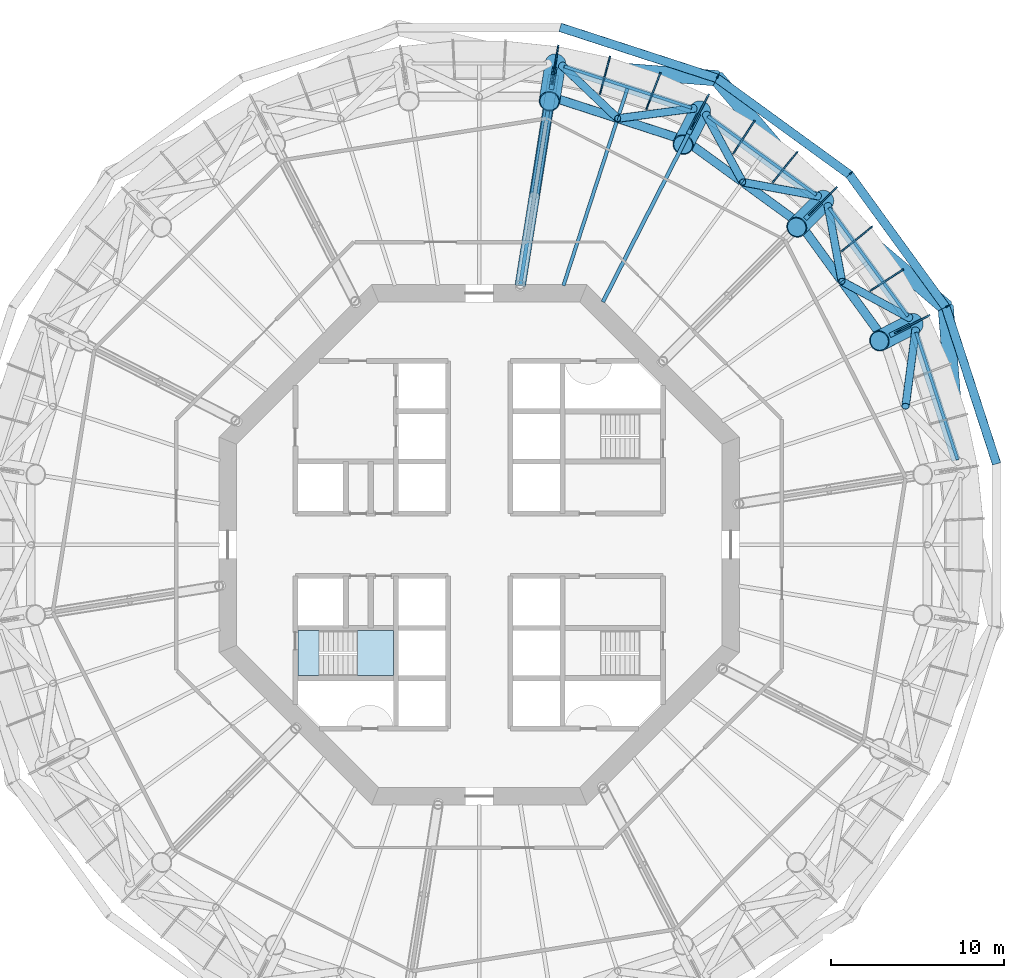
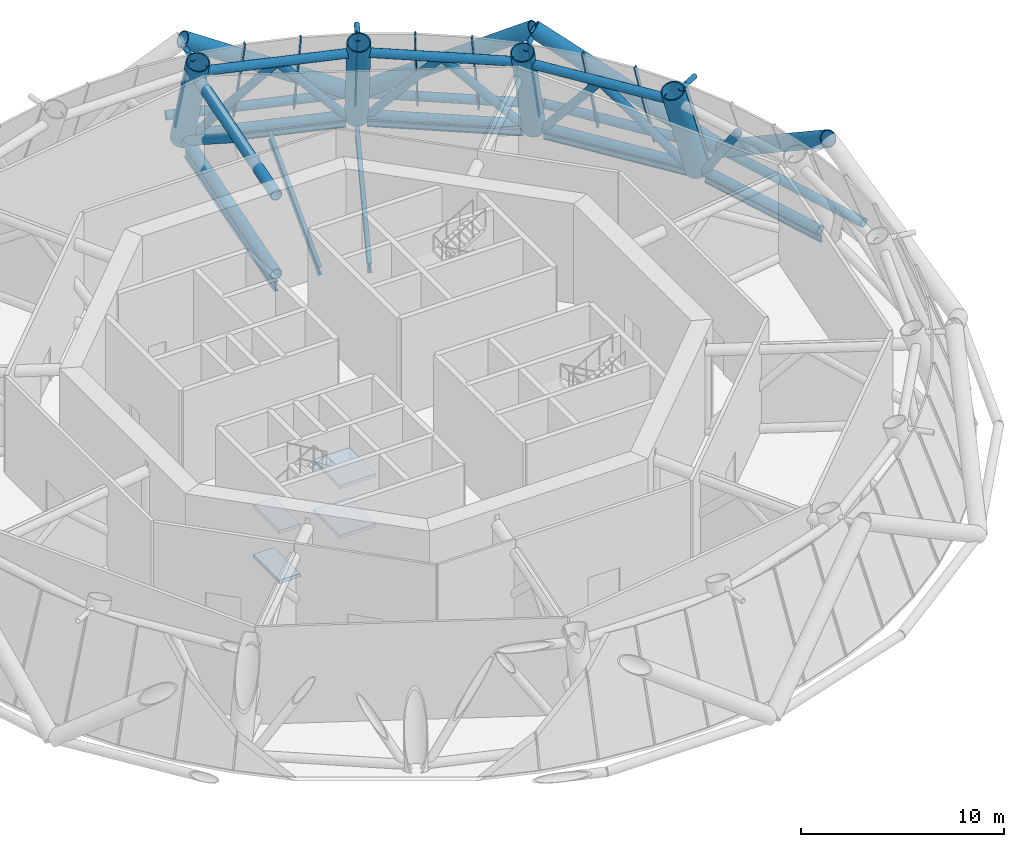
# One storey, part 6 of 15: 43 members, 7 beams, 4 slabs, 5 elements without a shape of their own.
"""IFC4 building model written with IfcOpenShell, lengths in metres."""

import ifcopenshell
import ifcopenshell.guid

model = None  # the IFC model being written
_history = None  # IfcOwnerHistory: only IFC2X3 demands one
_inside = {}  # id of a spatial element -> (the spatial element, [elements in it])
_under = {}  # id of a project, library or spatial element -> (it, [spatial elements below it])
_declared = {}  # id of a project -> (the project, [libraries it declares])
_typed = {}  # id of a type object -> (the type object, [elements of that type])
_made_of = {}  # id of a material, layer set ... -> (it, [elements and type objects made of it])


def new_model(schema):
    """Start an empty IFC model of exactly this schema.

    Asked for "IFC4X3", IfcOpenShell would pick the latest addendum, in which some entities
    have other attributes; the version numbers below select the first issue.
    IFC2X3 requires an IfcOwnerHistory on every rooted entity: one is made here for all.
    """
    global model, _history
    if schema == "IFC4X3":
        model = ifcopenshell.file(schema_version=(4, 3, 0, 0))
    else:
        model = ifcopenshell.file(schema=schema)
    _inside.clear()
    _under.clear()
    _declared.clear()
    _typed.clear()
    _made_of.clear()
    _history = None
    if model.schema == "IFC2X3":
        org = make("IfcOrganization", Name="unknown")
        user = make(
            "IfcPersonAndOrganization",
            ThePerson=make("IfcPerson", FamilyName="unknown"),
            TheOrganization=org,
        )
        app = make(
            "IfcApplication",
            ApplicationDeveloper=org,
            Version="unknown",
            ApplicationFullName="unknown",
            ApplicationIdentifier="unknown",
        )
        _history = make(
            "IfcOwnerHistory",
            OwningUser=user,
            OwningApplication=app,
            ChangeAction="ADDED",
            CreationDate=0,
        )
    return model


def make(cls, **values):
    """One entity of the class cls with the attributes given. An attribute that is None is left unset."""
    return model.create_entity(
        cls, **{name: value for name, value in values.items() if value is not None}
    )


def rooted(cls, **values):
    """An entity with a GlobalId (a new one), such as an element, a storey or a relation."""
    return make(cls, GlobalId=ifcopenshell.guid.new(), OwnerHistory=_history, **values)


def si_unit(unit_type, name, prefix=None):
    """IfcSIUnit, for example si_unit("LENGTHUNIT", "METRE", prefix="MILLI")."""
    return make("IfcSIUnit", UnitType=unit_type, Prefix=prefix, Name=name)


def assignment(units):
    """IfcUnitAssignment: the units of a project."""
    return None if units is None else make("IfcUnitAssignment", Units=units)


def point(xyz):
    """IfcCartesianPoint."""
    return None if xyz is None else make("IfcCartesianPoint", Coordinates=xyz)


def direction(xyz):
    """IfcDirection."""
    return None if xyz is None else make("IfcDirection", DirectionRatios=xyz)


def frame(location, z_axis=None, x_axis=None):
    """IfcAxis2Placement3D, a coordinate frame: its origin and axes. An axis left out is left unset."""
    return make(
        "IfcAxis2Placement3D",
        Location=point(location),
        Axis=direction(z_axis),
        RefDirection=direction(x_axis),
    )


def frame_2d(location, x_axis=None):
    """IfcAxis2Placement2D, a coordinate frame in the plane: its origin and x axis."""
    return make(
        "IfcAxis2Placement2D", Location=point(location), RefDirection=direction(x_axis)
    )


def origin():
    """The frame at (0, 0, 0) with its axes left unset."""
    return frame((0.0, 0.0, 0.0))


def origin_2d():
    """The frame at (0, 0) in the plane with its x axis left unset."""
    return frame_2d((0.0, 0.0))


def place(relative_to, where):
    """IfcLocalPlacement: puts the frame where relative to a parent placement (None: the world)."""
    return make(
        "IfcLocalPlacement", PlacementRelTo=relative_to, RelativePlacement=where
    )


def context(
    kind, dimensions, precision=None, world=None, true_north=None, identifier=None
):
    """IfcGeometricRepresentationContext, for example the 3D "Model" context."""
    return make(
        "IfcGeometricRepresentationContext",
        ContextIdentifier=identifier,
        ContextType=kind,
        CoordinateSpaceDimension=dimensions,
        Precision=precision,
        WorldCoordinateSystem=world,
        TrueNorth=true_north,
    )


def subcontext(parent, identifier, kind, view, scale=None):
    """IfcGeometricRepresentationSubContext, for example "Body" below "Model"."""
    return make(
        "IfcGeometricRepresentationSubContext",
        ContextIdentifier=identifier,
        ContextType=kind,
        ParentContext=parent,
        TargetScale=scale,
        TargetView=view,
    )


def project(units=None, contexts=None):
    """IfcProject with its units and contexts."""
    return rooted(
        "IfcProject",
        Name="project",
        RepresentationContexts=contexts,
        UnitsInContext=assignment(units),
    )


def spatial(cls, under=None, at=None, **own):
    """A site, building, storey or space (cls), placed at a placement, below another one or the project."""
    s = rooted(cls, ObjectPlacement=at, **own)
    if under is not None:
        _under.setdefault(under.id(), (under, []))[1].append(s)
    return s


def polyline(points):
    """IfcPolyline through the points."""
    return make("IfcPolyline", Points=[point(p) for p in points])


def profile(cls, at=None, kind="AREA", **sizes):
    """A parametric profile (cls). Its sizes go by their IFC names, for example OverallWidth=200.0."""
    return make(cls, ProfileType=kind, Position=at, **sizes)


def rectangle(**sizes):
    """IfcRectangleProfileDef."""
    return profile("IfcRectangleProfileDef", **sizes)


def circle(**sizes):
    """IfcCircleProfileDef."""
    return profile("IfcCircleProfileDef", **sizes)


def hollow_circle(**sizes):
    """IfcCircleHollowProfileDef."""
    return profile("IfcCircleHollowProfileDef", **sizes)


def i_section(**sizes):
    """IfcIShapeProfileDef."""
    return profile("IfcIShapeProfileDef", **sizes)


def outline(outer, holes=None, kind="AREA"):
    """IfcArbitraryClosedProfileDef: a profile drawn as a closed curve; with holes, ...WithVoids."""
    if holes is None:
        return make("IfcArbitraryClosedProfileDef", ProfileType=kind, OuterCurve=outer)
    return make(
        "IfcArbitraryProfileDefWithVoids",
        ProfileType=kind,
        OuterCurve=outer,
        InnerCurves=holes,
    )


def extrude(swept, where, along, depth):
    """IfcExtrudedAreaSolid: the profile swept, set in the frame where, extruded along a direction by depth."""
    return make(
        "IfcExtrudedAreaSolid",
        SweptArea=swept,
        Position=where,
        ExtrudedDirection=direction(along),
        Depth=depth,
    )


def shape(context_of_items, identifier, shape_type, items):
    """IfcShapeRepresentation: the items that make up one representation, for example the "Body"."""
    return make(
        "IfcShapeRepresentation",
        ContextOfItems=context_of_items,
        RepresentationIdentifier=identifier,
        RepresentationType=shape_type,
        Items=items,
    )


def material(Name=None, Category=None):
    """IfcMaterial."""
    return make("IfcMaterial", Name=Name, Category=Category)


def layer(
    of_material, thickness, ventilated=None, Name=None, Category=None, Priority=None
):
    """IfcMaterialLayer: one layer of a wall or slab, of a material (None: an air gap)."""
    return make(
        "IfcMaterialLayer",
        Material=of_material,
        LayerThickness=thickness,
        IsVentilated=ventilated,
        Name=Name,
        Category=Category,
        Priority=Priority,
    )


def layer_set(layers, Name=None):
    """IfcMaterialLayerSet."""
    return make("IfcMaterialLayerSet", MaterialLayers=layers, LayerSetName=Name)


def material_profile(
    of_material, cross_section, Name=None, Category=None, Priority=None
):
    """IfcMaterialProfile: a cross section and its material."""
    return make(
        "IfcMaterialProfile",
        Name=Name,
        Material=of_material,
        Profile=cross_section,
        Priority=Priority,
        Category=Category,
    )


def profile_set(profiles, Name=None, composite=None):
    """IfcMaterialProfileSet."""
    return make(
        "IfcMaterialProfileSet",
        Name=Name,
        MaterialProfiles=profiles,
        CompositeProfile=composite,
    )


def made_of(thing, what):
    """Note that an element or type object is made of a material, layer set ...; save() writes the relation."""
    if what is not None:
        _made_of.setdefault(what.id(), (what, []))[1].append(thing)
    return thing


def type_object(cls, material=None, **own):
    """A type object (cls), such as IfcWallType, which elements share."""
    return made_of(rooted(cls, **own), material)


def element(
    cls,
    number,
    at=None,
    inside=None,
    cuts=None,
    type_object=None,
    material=None,
    context=None,
    identifier="Body",
    shape_type=None,
    held_by="IfcProductDefinitionShape",
    body=None,
    shapes=None,
    **own,
):
    """One element of the class cls, such as IfcWall. Its Tag is "e" and its number.

    at: its placement. inside: the storey or other place that contains it. cuts: it is an
    opening in that element (IfcRelVoidsElement). A single representation is given by context,
    identifier, shape_type and body (its items); several are given by shapes. held_by: the class
    of the entity that holds the representations. save() writes the other relations.
    """
    e = rooted(cls, Tag="e%d" % number, ObjectPlacement=at, **own)
    if body is not None:
        shapes = [shape(context, identifier, shape_type, body)]
    if shapes is not None:
        e.Representation = make(held_by, Representations=shapes)
    if inside is not None:
        _inside.setdefault(inside.id(), (inside, []))[1].append(e)
    if cuts is not None:
        rooted(
            "IfcRelVoidsElement", RelatingBuildingElement=cuts, RelatedOpeningElement=e
        )
    if type_object is not None:
        _typed.setdefault(type_object.id(), (type_object, []))[1].append(e)
    return made_of(e, material)


def aggregate(whole, parts):
    """IfcRelAggregates: a whole, such as a stair, and the parts it consists of."""
    return rooted("IfcRelAggregates", RelatingObject=whole, RelatedObjects=parts)


def save(model, path):
    """Write the relations noted so far, then the file.

    IfcRelAggregates (storeys below a building ...), IfcRelContainedInSpatialStructure (elements
    in a storey), IfcRelDefinesByType, IfcRelAssociatesMaterial and IfcRelDeclares: one each for
    every whole, place, type object, material and project.
    """
    for whole, parts in _under.values():
        aggregate(whole, parts)
    for where, things in _inside.values():
        rooted(
            "IfcRelContainedInSpatialStructure",
            RelatedElements=things,
            RelatingStructure=where,
        )
    for kind, things in _typed.values():
        rooted("IfcRelDefinesByType", RelatedObjects=things, RelatingType=kind)
    for what, things in _made_of.values():
        rooted("IfcRelAssociatesMaterial", RelatedObjects=things, RelatingMaterial=what)
    for by, libraries in _declared.values():
        rooted("IfcRelDeclares", RelatingContext=by, RelatedDefinitions=libraries)
    model.write(path)


model = new_model("IFC4")

# Units and contexts
model_context = context("Model", 3, precision=1e-05, world=origin(), true_north=direction((0.0, 1.0)))
body_context = subcontext(model_context, "Body", "Model", "MODEL_VIEW")
ifc_project = project(units=[si_unit("LENGTHUNIT", "METRE"), si_unit("AREAUNIT", "SQUARE_METRE"), si_unit("VOLUMEUNIT", "CUBIC_METRE"), si_unit("PLANEANGLEUNIT", "RADIAN"), si_unit("MASSUNIT", "GRAM", prefix="KILO")], contexts=[model_context])

# Site, building, storey
site_placement = place(None, origin())
site = spatial("IfcSite", under=ifc_project, at=site_placement, CompositionType="ELEMENT")
building_placement = place(site_placement, origin())
building = spatial("IfcBuilding", under=site, at=building_placement, Name="Entoto Ring Tower", CompositionType="ELEMENT")
storey_placement = place(building_placement, frame((0.0, 0.0, 200.0)))
storey = spatial("IfcBuildingStorey", under=building, at=storey_placement, Name="L46", CompositionType="ELEMENT", Elevation=200.0)

# Members
ifc_material_1 = material(Name="Steel S355", Category="steel")
ifc_material_profile_1 = material_profile(ifc_material_1, hollow_circle(Radius=0.449951171875, WallThickness=0.044921875, at=origin_2d()), Name="CHS 900 x 45")
ifc_material_2 = material(Name="Concrete C60/75", Category="concrete")
ifc_material_profile_2 = material_profile(ifc_material_2, circle(Radius=0.405029296875, at=origin_2d()), Name="Concrete C60/75 infill")
ifc_profile_set_1 = profile_set([ifc_material_profile_1, ifc_material_profile_2], Name="Steel S355")
member_type_1 = type_object("IfcMemberType", Name="Diagrid diagonal 900 x 45 concrete-filled tube", PredefinedType="BRACE", material=ifc_profile_set_1)
for number, where, z_axis, x_axis, name in (
    (1, (116.908447265625, 93.71044921875, 0.0), (0.067171964206, -0.839199397204, 0.539659428675), (0.99681187731, 0.079787726213, 0.0), "DG2 module 14 01"),
    (2, (116.908447265625, 93.71044921875, 0.0), (-0.639435344437, 0.547626306831, 0.539655323657), (-0.650475563514, -0.759527182707, 0.0), "DG2 module 14 02"),
    (3, (103.71044921875, 106.908447265625, 0.0), (0.547626306831, -0.639435344437, 0.539655323657), (0.759527182707, 0.650475563514, 0.0), "DG2 module 14 03"),
    (4, (103.71044921875, 106.908447265625, 0.0), (-0.839199397204, 0.067171964206, 0.539659428675), (-0.079787726213, -0.99681187731, 0.0), "DG2 module 14 04"),
):
    element("IfcMember", number, at=place(storey_placement, frame(where, z_axis=z_axis, x_axis=x_axis)), inside=storey, type_object=member_type_1, Name=name, PredefinedType="BRACE", context=body_context, shape_type="SweptSolid", body=[
        extrude(hollow_circle(Radius=0.449951171875, WallThickness=0.044921875, at=origin_2d()), origin(), (0.0, 0.0, 1.0), 11.1181640625),
    ])
ifc_material_3 = material(Name="Steel S355", Category="steel")
ifc_material_profile_3 = material_profile(ifc_material_3, hollow_circle(Radius=0.136474609375, WallThickness=0.012451171875, at=origin_2d()), Name="CHS 273 x 12.5")
ifc_material_4 = material(Name="Concrete C60/75", Category="concrete")
ifc_material_profile_4 = material_profile(ifc_material_4, circle(Radius=0.1240234375, at=origin_2d()), Name="Concrete C60/75 infill")
ifc_profile_set_2 = profile_set([ifc_material_profile_3, ifc_material_profile_4], Name="Steel S355")
member_type_2 = type_object("IfcMemberType", Name="Diagrid node strut 273 x 12.5", PredefinedType="STRUT", material=ifc_profile_set_2)
member_1_placement = place(storey_placement, frame((113.6875, 92.0693359375, 5.71337890625), z_axis=(0.891022493252, 0.453959157325, 0.0), x_axis=(-0.453959157325, 0.891022493252, 0.0)))
element("IfcMember", 5, at=member_1_placement, inside=storey, type_object=member_type_2, Name="DS2 strut ring 14 02", PredefinedType="STRUT", context=body_context, shape_type="SweptSolid", body=[
    extrude(hollow_circle(Radius=0.136474609375, WallThickness=0.012451171875, at=origin_2d()), origin(), (0.0, 0.0, 1.0), 1.31494140625),
])
member_2_placement = place(storey_placement, frame((108.798583984375, 98.798583984375, 5.71337890625), z_axis=(0.707106781187, 0.707106781187, 0.0), x_axis=(-0.707106781187, 0.707106781187, 0.0)))
element("IfcMember", 6, at=member_2_placement, inside=storey, type_object=member_type_2, Name="DS2 strut ring 14 03", PredefinedType="STRUT", context=body_context, shape_type="SweptSolid", body=[
    extrude(hollow_circle(Radius=0.136474609375, WallThickness=0.012451171875, at=origin_2d()), origin(), (0.0, 0.0, 1.0), 1.314697265625),
])
member_3_placement = place(storey_placement, frame((102.0693359375, 103.6875, 5.71337890625), z_axis=(0.453959157325, 0.891022493252, 0.0), x_axis=(-0.891022493252, 0.453959157325, 0.0)))
element("IfcMember", 7, at=member_3_placement, inside=storey, type_object=member_type_2, Name="DS2 strut ring 14 04", PredefinedType="STRUT", context=body_context, shape_type="SweptSolid", body=[
    extrude(hollow_circle(Radius=0.136474609375, WallThickness=0.012451171875, at=origin_2d()), origin(), (0.0, 0.0, 1.0), 1.31494140625),
])
member_4_placement = place(storey_placement, frame((94.158935546875, 106.2578125, 5.71337890625), z_axis=(0.156353520338, 0.987701157576, 0.0), x_axis=(-0.987701157576, 0.156353520338, 0.0)))
element("IfcMember", 8, at=member_4_placement, inside=storey, type_object=member_type_2, Name="DS2 strut ring 14 05", PredefinedType="STRUT", context=body_context, shape_type="SweptSolid", body=[
    extrude(hollow_circle(Radius=0.136474609375, WallThickness=0.012451171875, at=origin_2d()), origin(), (0.0, 0.0, 1.0), 1.314697265625),
])
ifc_material_5 = material(Name="Steel S355", Category="steel")
ifc_material_profile_5 = material_profile(ifc_material_5, hollow_circle(Radius=0.25390625, WallThickness=0.030029296875, at=origin_2d()), Name="CHS 508 x 30")
ifc_material_6 = material(Name="Concrete C60/75", Category="concrete")
ifc_material_profile_6 = material_profile(ifc_material_6, circle(Radius=0.22412109375, at=origin_2d()), Name="Concrete C60/75 infill")
ifc_profile_set_3 = profile_set([ifc_material_profile_5, ifc_material_profile_6], Name="Steel S355")
member_type_3 = type_object("IfcMemberType", Name="Diagrid ring beam 508 x 30", PredefinedType="CHORD", material=ifc_profile_set_3)
for number, where, z_axis, x_axis, name in (
    (9, (116.94384765625, 93.661865234375, 0.0), (-0.587786303985, 0.809016230274, 0.0), (-0.809016230274, -0.587786303985, 0.0), "DR2 ring 13 01"),
    (10, (111.4033203125, 101.3193359375, 0.0), (-0.809016230274, 0.587786303985, 0.0), (-0.587786303985, -0.809016230274, 0.0), "DR2 ring 13 02"),
    (11, (103.767822265625, 106.889892578125, 0.0), (-0.951064250524, 0.308993189852, 0.0), (-0.308993189852, -0.951064250524, 0.0), "DR2 ring 13 03"),
    (12, (119.8466796875, 84.6669921875, 0.0), (-0.308993189852, 0.951064250524, 0.0), (-0.951064250524, -0.308993189852, 0.0), "DR2 ring 13 20"),
):
    element("IfcMember", number, at=place(storey_placement, frame(where, z_axis=z_axis, x_axis=x_axis)), inside=storey, type_object=member_type_3, Name=name, PredefinedType="CHORD", context=body_context, shape_type="SweptSolid", body=[
        extrude(hollow_circle(Radius=0.25390625, WallThickness=0.030029296875, at=origin_2d()), origin(), (0.0, 0.0, 1.0), 9.569091796875),
    ])

# Beams
ifc_material_7 = material(Name="Steel S355", Category="steel")
ifc_material_profile_7 = material_profile(ifc_material_7, i_section(OverallWidth=0.169921875, OverallDepth=0.360107421875, WebThickness=0.008056640625, FlangeThickness=0.0126953125, FilletRadius=0.01806640625, at=origin_2d()), Name="IPE 360")
ifc_profile_set_4 = profile_set([ifc_material_profile_7], Name="Steel S355")
beam_type_1 = type_object("IfcBeamType", Name="Edge beam IPE 360", PredefinedType="SPANDREL", material=ifc_profile_set_4)
for number, where, z_axis, x_axis, name in (
    (13, (117.59228515625, 84.8935546875, -0.330078125), (-0.309012656105, 0.951057925874, 0.0), (-0.951057925874, -0.309012656105, 0.0), "Edge beam L46 01"),
    (14, (114.729736328125, 93.180419921875, -0.330078125), (-0.587791153253, 0.809012707043, 0.0), (-0.809012707043, -0.587791153253, 0.0), "Edge beam L46 02"),
    (15, (109.4462890625, 100.17724609375, -0.330078125), (-0.809012707043, 0.587791153253, 0.0), (-0.587791153253, -0.809012707043, 0.0), "Edge beam L46 03"),
    (16, (102.259521484375, 105.198974609375, -0.330078125), (-0.951057925874, 0.309012656105, 0.0), (-0.309012656105, -0.951057925874, 0.0), "Edge beam L46 04"),
):
    element("IfcBeam", number, at=place(storey_placement, frame(where, z_axis=z_axis, x_axis=x_axis)), inside=storey, type_object=beam_type_1, Name=name, PredefinedType="SPANDREL", context=body_context, shape_type="SweptSolid", body=[
        extrude(i_section(OverallWidth=0.169921875, OverallDepth=0.360107421875, WebThickness=0.008056640625, FlangeThickness=0.0126953125, FilletRadius=0.01806640625, at=origin_2d()), origin(), (0.0, 0.0, 1.0), 7.7451171875),
    ])

# Curtain wall, members
ifc_material_8 = material(Name="Anodised aluminium", Category="aluminium")
ifc_layer_1 = layer(ifc_material_8, 0.10009765625)
ifc_layer_set_1 = layer_set([ifc_layer_1], Name="Anodised aluminium")
curtain_wall_type = type_object("IfcCurtainWallType", Name="Louvre curtain wall system CW7", PredefinedType="NOTDEFINED", material=ifc_layer_set_1)
curtain_wall_1_placement = place(storey_placement, origin())
curtain_wall_1 = element("IfcCurtainWall", 17, at=curtain_wall_1_placement, inside=storey, type_object=curtain_wall_type, Name="CW7 L46-02", PredefinedType="NOTDEFINED")
ifc_material_9 = material(Name="Anodised aluminium", Category="aluminium")
ifc_material_profile_8 = material_profile(ifc_material_9, rectangle(XDim=0.080078125, YDim=0.199951171875, at=origin_2d()), Name="Mullion 80 x 200 mm anodised aluminium")
ifc_profile_set_5 = profile_set([ifc_material_profile_8], Name="Anodised aluminium")
member_type_4 = type_object("IfcMemberType", Name="Mullion 80 x 200 mm anodised aluminium", PredefinedType="MULLION", material=ifc_profile_set_5)
member_5_placement = place(storey_placement, frame((115.9228515625, 93.208251953125, 0.034423828125), z_axis=(-0.30672352053, -0.156256126475, 0.938884819822), x_axis=(0.453927506851, -0.891038617863, 0.0)))
member_5 = element("IfcMember", 18, at=member_5_placement, type_object=member_type_4, Name="MULLION L46-03", PredefinedType="MULLION", context=body_context, shape_type="SweptSolid", body=[
    extrude(rectangle(XDim=0.080078125, YDim=0.199951171875, at=origin_2d()), origin(), (0.0, 0.0, 1.0), 6.157470703125),
])
member_6_placement = place(storey_placement, frame((114.400146484375, 95.845703125, 0.034423828125), z_axis=(-0.288719812628, -0.187497389991, 0.938874644744), x_axis=(0.544640161527, -0.838669836379, 0.0)))
member_6 = element("IfcMember", 19, at=member_6_placement, type_object=member_type_4, Name="MULLION L46-04", PredefinedType="MULLION", context=body_context, shape_type="SweptSolid", body=[
    extrude(rectangle(XDim=0.080078125, YDim=0.199951171875, at=origin_2d()), origin(), (0.0, 0.0, 1.0), 6.15771484375),
])
member_7_placement = place(storey_placement, frame((112.610107421875, 98.309326171875, 0.034423828125), z_axis=(-0.267510778801, -0.216641306561, 0.938884725361), x_axis=(0.629347320868, -0.777124153348, 0.0)))
member_7 = element("IfcMember", 20, at=member_7_placement, type_object=member_type_4, Name="MULLION L46-05", PredefinedType="MULLION", context=body_context, shape_type="SweptSolid", body=[
    extrude(rectangle(XDim=0.080078125, YDim=0.199951171875, at=origin_2d()), origin(), (0.0, 0.0, 1.0), 6.157470703125),
])
aggregate(curtain_wall_1, [member_5, member_6, member_7])

curtain_wall_2_placement = place(storey_placement, origin())
curtain_wall_2 = element("IfcCurtainWall", 21, at=curtain_wall_2_placement, inside=storey, type_object=curtain_wall_type, Name="CW7 L46-03", PredefinedType="NOTDEFINED")
member_8_placement = place(storey_placement, frame((110.572509765625, 100.572509765625, 0.034423828125), z_axis=(-0.243439738428, -0.243439738428, 0.938868567749), x_axis=(0.707106781187, -0.707106781187, 0.0)))
member_8 = element("IfcMember", 22, at=member_8_placement, type_object=member_type_4, Name="MULLION L46-06", PredefinedType="MULLION", context=body_context, shape_type="SweptSolid", body=[
    extrude(rectangle(XDim=0.080078125, YDim=0.199951171875, at=origin_2d()), origin(), (0.0, 0.0, 1.0), 6.15771484375),
])
member_9_placement = place(storey_placement, frame((108.309326171875, 102.610107421875, 0.034423828125), z_axis=(-0.216641306561, -0.267510778801, 0.938884725361), x_axis=(0.777124153348, -0.629347320868, 0.0)))
member_9 = element("IfcMember", 23, at=member_9_placement, type_object=member_type_4, Name="MULLION L46-07", PredefinedType="MULLION", context=body_context, shape_type="SweptSolid", body=[
    extrude(rectangle(XDim=0.080078125, YDim=0.199951171875, at=origin_2d()), origin(), (0.0, 0.0, 1.0), 6.157470703125),
])
member_10_placement = place(storey_placement, frame((105.845703125, 104.400146484375, 0.034423828125), z_axis=(-0.187497389991, -0.288719812628, 0.938874644744), x_axis=(0.838669836379, -0.544640161527, 0.0)))
member_10 = element("IfcMember", 24, at=member_10_placement, type_object=member_type_4, Name="MULLION L46-08", PredefinedType="MULLION", context=body_context, shape_type="SweptSolid", body=[
    extrude(rectangle(XDim=0.080078125, YDim=0.199951171875, at=origin_2d()), origin(), (0.0, 0.0, 1.0), 6.15771484375),
])
aggregate(curtain_wall_2, [member_8, member_9, member_10])

curtain_wall_3_placement = place(storey_placement, origin())
curtain_wall_3 = element("IfcCurtainWall", 25, at=curtain_wall_3_placement, inside=storey, type_object=curtain_wall_type, Name="CW7 L46-04", PredefinedType="NOTDEFINED")
member_11_placement = place(storey_placement, frame((103.208251953125, 105.9228515625, 0.034423828125), z_axis=(-0.156256126475, -0.30672352053, 0.938884819822), x_axis=(0.891038617863, -0.453927506851, 0.0)))
member_11 = element("IfcMember", 26, at=member_11_placement, type_object=member_type_4, Name="MULLION L46-09", PredefinedType="MULLION", context=body_context, shape_type="SweptSolid", body=[
    extrude(rectangle(XDim=0.080078125, YDim=0.199951171875, at=origin_2d()), origin(), (0.0, 0.0, 1.0), 6.157470703125),
])
member_12_placement = place(storey_placement, frame((100.42626953125, 107.161376953125, 0.034423828125), z_axis=(-0.123348338405, -0.321355925032, 0.938890598983), x_axis=(0.933588827568, -0.358346063241, 0.0)))
member_12 = element("IfcMember", 27, at=member_12_placement, type_object=member_type_4, Name="MULLION L46-10", PredefinedType="MULLION", context=body_context, shape_type="SweptSolid", body=[
    extrude(rectangle(XDim=0.080078125, YDim=0.199951171875, at=origin_2d()), origin(), (0.0, 0.0, 1.0), 6.157470703125),
])
member_13_placement = place(storey_placement, frame((97.530029296875, 108.1025390625, 0.034423828125), z_axis=(-0.089090018447, -0.332531368364, 0.938874782741), x_axis=(0.965934172097, -0.258787896113, 0.0)))
member_13 = element("IfcMember", 28, at=member_13_placement, type_object=member_type_4, Name="MULLION L46-11", PredefinedType="MULLION", context=body_context, shape_type="SweptSolid", body=[
    extrude(rectangle(XDim=0.080078125, YDim=0.199951171875, at=origin_2d()), origin(), (0.0, 0.0, 1.0), 6.15771484375),
])
aggregate(curtain_wall_3, [member_11, member_12, member_13])

# Curtain wall, member
curtain_wall_4_placement = place(storey_placement, origin())
curtain_wall_4 = element("IfcCurtainWall", 29, at=curtain_wall_4_placement, inside=storey, type_object=curtain_wall_type, Name="CW7 L46-05", PredefinedType="NOTDEFINED")
member_14_placement = place(storey_placement, frame((94.55126953125, 108.735595703125, 0.034423828125), z_axis=(-0.053843242336, -0.339989545679, 0.938886582119), x_axis=(0.987690949022, -0.156417995192, 0.0)))
member_14 = element("IfcMember", 30, at=member_14_placement, type_object=member_type_4, Name="MULLION L46-12", PredefinedType="MULLION", context=body_context, shape_type="SweptSolid", body=[
    extrude(rectangle(XDim=0.080078125, YDim=0.199951171875, at=origin_2d()), origin(), (0.0, 0.0, 1.0), 6.157470703125),
])
aggregate(curtain_wall_4, [member_14])

# Members
ifc_material_10 = material(Name="Steel S355", Category="steel")
ifc_material_profile_9 = material_profile(ifc_material_10, hollow_circle(Radius=0.304931640625, WallThickness=0.030029296875, at=origin_2d()), Name="CHS 610 x 30")
ifc_material_11 = material(Name="Concrete C60/75", Category="concrete")
ifc_material_profile_10 = material_profile(ifc_material_11, circle(Radius=0.27490234375, at=origin_2d()), Name="Concrete C60/75 infill")
ifc_profile_set_6 = profile_set([ifc_material_profile_9, ifc_material_profile_10], Name="Steel S355")
member_type_5 = type_object("IfcMemberType", Name="Outrigger chord 610 x 30", PredefinedType="CHORD", material=ifc_profile_set_6)
member_15_placement = place(storey_placement, frame((92.364990234375, 94.9326171875, 0.304931640625), z_axis=(0.156446183477, 0.987686484506, 0.0), x_axis=(-0.987686484506, 0.156446183477, 0.0)))
element("IfcMember", 31, at=member_15_placement, inside=storey, type_object=member_type_5, Name="OR1B L46 bottom 03", PredefinedType="CHORD", context=body_context, shape_type="SweptSolid", body=[
    extrude(hollow_circle(Radius=0.304931640625, WallThickness=0.030029296875, at=origin_2d()), origin(), (0.0, 0.0, 1.0), 12.339111328125),
])
member_16_placement = place(storey_placement, frame((92.364990234375, 94.9326171875, 5.044921875), z_axis=(0.156439140715, 0.98768760003, 0.0), x_axis=(-0.98768760003, 0.156439140715, 0.0)))
element("IfcMember", 32, at=member_16_placement, inside=storey, type_object=member_type_5, Name="OR1B L46 top 03", PredefinedType="CHORD", context=body_context, shape_type="SweptSolid", body=[
    extrude(hollow_circle(Radius=0.304931640625, WallThickness=0.030029296875, at=origin_2d()), origin(), (0.0, 0.0, 1.0), 10.601318359375),
])
ifc_material_12 = material(Name="Steel S355", Category="steel")
ifc_material_profile_11 = material_profile(ifc_material_12, hollow_circle(Radius=0.25390625, WallThickness=0.030029296875, at=origin_2d()), Name="CHS 508 x 30")
ifc_material_13 = material(Name="Concrete C60/75", Category="concrete")
ifc_material_profile_12 = material_profile(ifc_material_13, circle(Radius=0.22412109375, at=origin_2d()), Name="Concrete C60/75 infill")
ifc_profile_set_7 = profile_set([ifc_material_profile_11, ifc_material_profile_12], Name="Steel S355")
member_type_6 = type_object("IfcMemberType", Name="Outrigger diagonal 508 x 30", PredefinedType="BRACE", material=ifc_profile_set_7)
member_17_placement = place(storey_placement, frame((93.194091796875, 100.167236328125, 5.044921875), z_axis=(0.129356416621, 0.816713646916, -0.562357303162), x_axis=(-0.987688026165, 0.156436450262, 0.0)))
element("IfcMember", 33, at=member_17_placement, inside=storey, type_object=member_type_6, Name="OR2B L46 03 2", PredefinedType="BRACE", context=body_context, shape_type="SweptSolid", body=[
    extrude(hollow_circle(Radius=0.25390625, WallThickness=0.030029296875, at=origin_2d()), origin(), (0.0, 0.0, 1.0), 8.57421875),
])

# Beams
ifc_material_14 = material(Name="Steel S355", Category="steel")
ifc_material_profile_13 = material_profile(ifc_material_14, i_section(OverallWidth=0.219970703125, OverallDepth=0.60009765625, WebThickness=0.011962890625, FlangeThickness=0.01904296875, FilletRadius=0.02392578125, at=origin_2d()), Name="IPE 600")
ifc_profile_set_8 = profile_set([ifc_material_profile_13], Name="Steel S355")
beam_type_2 = type_object("IfcBeamType", Name="Primary floor beam IPE 600", PredefinedType="BEAM", material=ifc_profile_set_8)
beam_1_placement = place(storey_placement, frame((97.135009765625, 94.003173828125, -0.449951171875), z_axis=(0.453982805399, 0.891010444609, 0.0), x_axis=(-0.891010444609, 0.453982805399, 0.0)))
element("IfcBeam", 34, at=beam_1_placement, inside=storey, type_object=beam_type_2, Name="Primary L46 R04", PredefinedType="BEAM", context=body_context, shape_type="SweptSolid", body=[
    extrude(i_section(OverallWidth=0.219970703125, OverallDepth=0.60009765625, WebThickness=0.011962890625, FlangeThickness=0.01904296875, FilletRadius=0.02392578125, at=origin_2d()), origin(), (0.0, 0.0, 1.0), 11.864990234375),
])
beam_2_placement = place(storey_placement, frame((92.369873046875, 94.963134765625, -0.449951171875), z_axis=(0.156441579247, 0.987687213789, 0.0), x_axis=(-0.987687213789, 0.156441579247, 0.0)))
element("IfcBeam", 35, at=beam_2_placement, inside=storey, type_object=beam_type_2, Name="Primary L46 R05", PredefinedType="BEAM", context=body_context, shape_type="SweptSolid", body=[
    extrude(i_section(OverallWidth=0.219970703125, OverallDepth=0.60009765625, WebThickness=0.011962890625, FlangeThickness=0.01904296875, FilletRadius=0.02392578125, at=origin_2d()), origin(), (0.0, 0.0, 1.0), 12.431640625),
])

# Members
ifc_material_15 = material(Name="Steel S355", Category="steel")
ifc_material_profile_14 = material_profile(ifc_material_15, hollow_circle(Radius=0.60009765625, WallThickness=0.054931640625, at=origin_2d()), Name="CHS 1200 x 55")
ifc_material_16 = material(Name="Concrete C60/75", Category="concrete")
ifc_material_profile_15 = material_profile(ifc_material_16, circle(Radius=0.544921875, at=origin_2d()), Name="Concrete C60/75 infill")
ifc_profile_set_9 = profile_set([ifc_material_profile_14, ifc_material_profile_15], Name="Steel S355")
member_type_7 = type_object("IfcMemberType", Name="Ring column jog 1200 x 55 concrete-filled tube", PredefinedType="STRUT", material=ifc_profile_set_9)
for number, where, z_axis, x_axis, name in (
    (36, (115.037353515625, 92.757080078125, 0.0), (-0.306731822092, -0.156288439927, 0.938876729322), (0.453992276384, -0.891005618941, 0.0), "RJ3B R02"),
    (37, (109.86962890625, 99.86962890625, 0.0), (-0.243428816819, -0.243428816819, 0.938874231346), (0.707106781187, -0.707106781187, 0.0), "RJ3B R03"),
    (38, (102.757080078125, 105.037353515625, 0.0), (-0.156288439927, -0.306731822092, 0.938876729322), (0.891005618941, -0.453992276384, 0.0), "RJ3B R04"),
    (39, (94.395751953125, 107.754150390625, 0.0), (-0.053827545825, -0.340041863298, 0.938868535267), (0.987701708488, -0.156350040137, 0.0), "RJ3B R05"),
):
    element("IfcMember", number, at=place(storey_placement, frame(where, z_axis=z_axis, x_axis=x_axis)), inside=storey, type_object=member_type_7, Name=name, PredefinedType="STRUT", context=body_context, shape_type="SweptSolid", body=[
        extrude(hollow_circle(Radius=0.60009765625, WallThickness=0.054931640625, at=origin_2d()), origin(), (0.0, 0.0, 1.0), 6.390625),
    ])
ifc_material_17 = material(Name="Steel S355", Category="steel")
ifc_material_profile_16 = material_profile(ifc_material_17, hollow_circle(Radius=0.25390625, WallThickness=0.030029296875, at=origin_2d()), Name="CHS 508 x 30")
ifc_material_18 = material(Name="Concrete C60/75", Category="concrete")
ifc_material_profile_17 = material_profile(ifc_material_18, circle(Radius=0.22412109375, at=origin_2d()), Name="Concrete C60/75 infill")
ifc_profile_set_10 = profile_set([ifc_material_profile_16, ifc_material_profile_17], Name="Steel S355")
member_type_8 = type_object("IfcMemberType", Name="Ring truss chord 508 x 30", PredefinedType="CHORD", material=ifc_profile_set_10)
for number, where, z_axis, x_axis, name in (
    (40, (117.499267578125, 84.882080078125, 0.25390625), (-0.309017329016, 0.951056407564, 0.0), (-0.951056407564, -0.309017329016, 0.0), "BT1 L46 bottom 01"),
    (41, (114.644775390625, 93.140869140625, 0.25390625), (-0.587785626143, 0.809016722756, 0.0), (-0.809016722756, -0.587785626143, 0.0), "BT1 L46 bottom 02"),
):
    element("IfcMember", number, at=place(storey_placement, frame(where, z_axis=z_axis, x_axis=x_axis)), inside=storey, type_object=member_type_8, Name=name, PredefinedType="CHORD", context=body_context, shape_type="SweptSolid", body=[
        extrude(hollow_circle(Radius=0.25390625, WallThickness=0.030029296875, at=origin_2d()), origin(), (0.0, 0.0, 1.0), 7.70947265625),
    ])
member_18_placement = place(storey_placement, frame((113.01708984375, 92.3115234375, 5.236083984375), z_axis=(-0.587787257786, 0.809015537295, 0.0), x_axis=(-0.809015537295, -0.587787257786, 0.0)))
element("IfcMember", 42, at=member_18_placement, inside=storey, type_object=member_type_8, Name="BT1 L46 top 02", PredefinedType="CHORD", context=body_context, shape_type="SweptSolid", body=[
    extrude(hollow_circle(Radius=0.25390625, WallThickness=0.030029296875, at=origin_2d()), origin(), (0.0, 0.0, 1.0), 7.137939453125),
])
member_19_placement = place(storey_placement, frame((109.3779296875, 100.11328125, 0.25390625), z_axis=(-0.809016722756, 0.587785626143, 0.0), x_axis=(-0.587785626143, -0.809016722756, 0.0)))
element("IfcMember", 43, at=member_19_placement, inside=storey, type_object=member_type_8, Name="BT1 L46 bottom 03", PredefinedType="CHORD", context=body_context, shape_type="SweptSolid", body=[
    extrude(hollow_circle(Radius=0.25390625, WallThickness=0.030029296875, at=origin_2d()), origin(), (0.0, 0.0, 1.0), 7.70947265625),
])
member_20_placement = place(storey_placement, frame((108.086181640625, 98.821533203125, 5.236083984375), z_axis=(-0.809015537295, 0.587787257786, 0.0), x_axis=(-0.587787257786, -0.809015537295, 0.0)))
element("IfcMember", 44, at=member_20_placement, inside=storey, type_object=member_type_8, Name="BT1 L46 top 03", PredefinedType="CHORD", context=body_context, shape_type="SweptSolid", body=[
    extrude(hollow_circle(Radius=0.25390625, WallThickness=0.030029296875, at=origin_2d()), origin(), (0.0, 0.0, 1.0), 7.137939453125),
])
member_21_placement = place(storey_placement, frame((102.214111328125, 105.116943359375, 0.25390625), z_axis=(-0.951056407564, 0.309017329016, 0.0), x_axis=(-0.309017329016, -0.951056407564, 0.0)))
element("IfcMember", 45, at=member_21_placement, inside=storey, type_object=member_type_8, Name="BT1 L46 bottom 04", PredefinedType="CHORD", context=body_context, shape_type="SweptSolid", body=[
    extrude(hollow_circle(Radius=0.25390625, WallThickness=0.030029296875, at=origin_2d()), origin(), (0.0, 0.0, 1.0), 7.70947265625),
])
member_22_placement = place(storey_placement, frame((101.384765625, 103.489501953125, 5.236083984375), z_axis=(-0.95106372418, 0.308994809906, 0.0), x_axis=(-0.308994809906, -0.95106372418, 0.0)))
element("IfcMember", 46, at=member_22_placement, inside=storey, type_object=member_type_8, Name="BT1 L46 top 04", PredefinedType="CHORD", context=body_context, shape_type="SweptSolid", body=[
    extrude(hollow_circle(Radius=0.25390625, WallThickness=0.030029296875, at=origin_2d()), origin(), (0.0, 0.0, 1.0), 7.137939453125),
])
ifc_material_19 = material(Name="Steel S355", Category="steel")
ifc_material_profile_18 = material_profile(ifc_material_19, hollow_circle(Radius=0.228515625, WallThickness=0.02001953125, at=origin_2d()), Name="CHS 457 x 20")
ifc_material_20 = material(Name="Concrete C60/75", Category="concrete")
ifc_material_profile_19 = material_profile(ifc_material_20, circle(Radius=0.20849609375, at=origin_2d()), Name="Concrete C60/75 infill")
ifc_profile_set_11 = profile_set([ifc_material_profile_18, ifc_material_profile_19], Name="Steel S355")
member_type_9 = type_object("IfcMemberType", Name="Ring truss diagonal 457 x 20", PredefinedType="BRACE", material=ifc_profile_set_11)
for number, where, z_axis, x_axis, name in (
    (47, (114.59228515625, 87.990478515625, 5.236083984375), (0.084082353722, 0.638105407781, -0.765344135898), (-0.991429939305, 0.130639486565, 0.0), "BT2 L46 01 b"),
    (48, (114.8203125, 93.08154296875, -0.041748046875), (-0.565672492401, 0.307016638759, 0.765346597867), (-0.477016600018, -0.878894284489, 0.0), "BT2 L46 02 a"),
    (49, (110.91943359375, 95.19873046875, 5.236083984375), (-0.117184081694, 0.632864847242, -0.765343044734), (-0.983285652394, -0.182069563069, 0.0), "BT2 L46 02 b"),
    (50, (109.56298828125, 100.111328125, -0.041748046875), (-0.632864847242, 0.117184081694, 0.765343044734), (-0.182069563069, -0.983285652394, 0.0), "BT2 L46 03 a"),
    (51, (105.19873046875, 100.91943359375, 5.236083984375), (-0.307016638759, 0.565672492401, -0.765346597867), (-0.878894284489, -0.477016600018, 0.0), "BT2 L46 03 b"),
    (52, (102.390869140625, 105.172119140625, -0.041748046875), (-0.638105407781, -0.084082353722, 0.765344135898), (0.130639486565, -0.991429939305, 0.0), "BT2 L46 04 a"),
    (53, (97.990478515625, 104.59228515625, 5.236083984375), (-0.466792960745, 0.4431081302, -0.765349277618), (-0.688467508052, -0.725267185496, 0.0), "BT2 L46 04 b"),
):
    element("IfcMember", number, at=place(storey_placement, frame(where, z_axis=z_axis, x_axis=x_axis)), inside=storey, type_object=member_type_9, Name=name, PredefinedType="BRACE", context=body_context, shape_type="SweptSolid", body=[
        extrude(hollow_circle(Radius=0.228515625, WallThickness=0.02001953125, at=origin_2d()), origin(), (0.0, 0.0, 1.0), 6.89599609375),
    ])

# Beam
ifc_material_21 = material(Name="Steel S355", Category="steel")
ifc_material_profile_20 = material_profile(ifc_material_21, i_section(OverallWidth=0.199951171875, OverallDepth=0.5, WebThickness=0.01025390625, FlangeThickness=0.01611328125, FilletRadius=0.02099609375, at=origin_2d()), Name="IPE 500")
ifc_profile_set_12 = profile_set([ifc_material_profile_20], Name="Steel S355")
beam_type_3 = type_object("IfcBeamType", Name="Secondary floor beam IPE 500", PredefinedType="JOIST", material=ifc_profile_set_12)
beam_3_placement = place(storey_placement, frame((94.857666015625, 94.9501953125, -0.39990234375), z_axis=(0.30901677521, 0.951056587506, 0.0), x_axis=(-0.951056587506, 0.30901677521, 0.0)))
element("IfcBeam", 54, at=beam_3_placement, inside=storey, type_object=beam_type_3, Name="Secondary beam L46 04", PredefinedType="JOIST", context=body_context, shape_type="SweptSolid", body=[
    extrude(i_section(OverallWidth=0.199951171875, OverallDepth=0.5, WebThickness=0.01025390625, FlangeThickness=0.01611328125, FilletRadius=0.02099609375, at=origin_2d()), origin(), (0.0, 0.0, 1.0), 11.94970703125),
])

# Stair, slabs
ifc_material_22 = material(Name="Concrete C40/50", Category="concrete")
stair_type = type_object("IfcStairType", Name="Exit stair 1200 mm dog-leg reinforced concrete", PredefinedType="HALF_TURN_STAIR", material=ifc_material_22)
stair_placement = place(storey_placement, origin())
stair = element("IfcStair", 55, at=stair_placement, inside=storey, type_object=stair_type, Name="Exit stair 2", PredefinedType="HALF_TURN_STAIR")
ifc_material_23 = material(Name="Concrete C40/50", Category="concrete")
ifc_layer_2 = layer(ifc_material_23, 0.199951171875)
ifc_layer_set_2 = layer_set([ifc_layer_2], Name="Concrete C40/50")
slab_type = type_object("IfcSlabType", Name="Stair landing 200 mm reinforced concrete", PredefinedType="LANDING", material=ifc_layer_set_2)
slab_1_placement = place(storey_placement, frame((0.0, 0.0, -0.199951171875)))
slab_1 = element("IfcSlab", 56, at=slab_1_placement, type_object=slab_type, Name="ST2 landing 1", PredefinedType="LANDING", context=body_context, shape_type="SweptSolid", body=[
    extrude(outline(polyline([(80.75, 72.449951171875), (80.75, 75.050048828125), (79.550048828125, 75.050048828125), (79.550048828125, 72.449951171875), (80.75, 72.449951171875)])), origin(), (0.0, 0.0, 1.0), 0.199951171875),
])
slab_2_placement = place(storey_placement, frame((0.0, 0.0, 1.300048828125)))
slab_2 = element("IfcSlab", 57, at=slab_2_placement, type_object=slab_type, Name="ST2 landing 2", PredefinedType="LANDING", context=body_context, shape_type="SweptSolid", body=[
    extrude(outline(polyline([(82.989990234375, 72.449951171875), (85.050048828125, 72.449951171875), (85.050048828125, 75.050048828125), (82.989990234375, 75.050048828125), (82.989990234375, 72.449951171875)])), origin(), (0.0, 0.0, 1.0), 0.199951171875),
])
slab_3_placement = place(storey_placement, frame((0.0, 0.0, 2.800048828125)))
slab_3 = element("IfcSlab", 58, at=slab_3_placement, type_object=slab_type, Name="ST2 landing 3", PredefinedType="LANDING", context=body_context, shape_type="SweptSolid", body=[
    extrude(outline(polyline([(79.550048828125, 72.449951171875), (80.75, 72.449951171875), (80.75, 75.050048828125), (79.550048828125, 75.050048828125), (79.550048828125, 72.449951171875)])), origin(), (0.0, 0.0, 1.0), 0.199951171875),
])
slab_4_placement = place(storey_placement, frame((0.0, 0.0, 4.300048828125)))
slab_4 = element("IfcSlab", 59, at=slab_4_placement, type_object=slab_type, Name="ST2 landing 4", PredefinedType="LANDING", context=body_context, shape_type="SweptSolid", body=[
    extrude(outline(polyline([(82.989990234375, 72.449951171875), (85.050048828125, 72.449951171875), (85.050048828125, 75.050048828125), (82.989990234375, 75.050048828125), (82.989990234375, 72.449951171875)])), origin(), (0.0, 0.0, 1.0), 0.199951171875),
])
aggregate(stair, [slab_1, slab_2, slab_3, slab_4])

save(model, "model.ifc")
